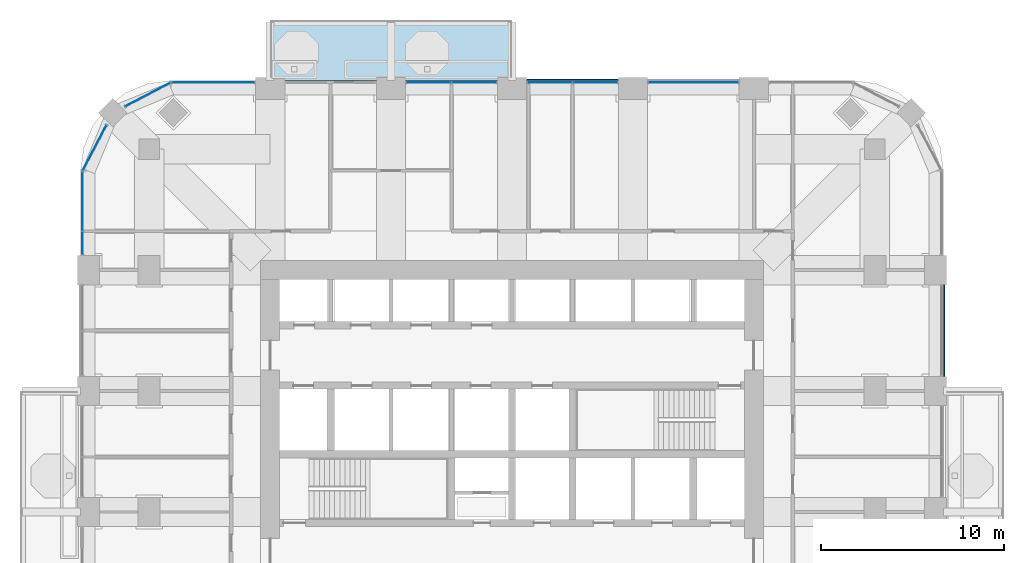
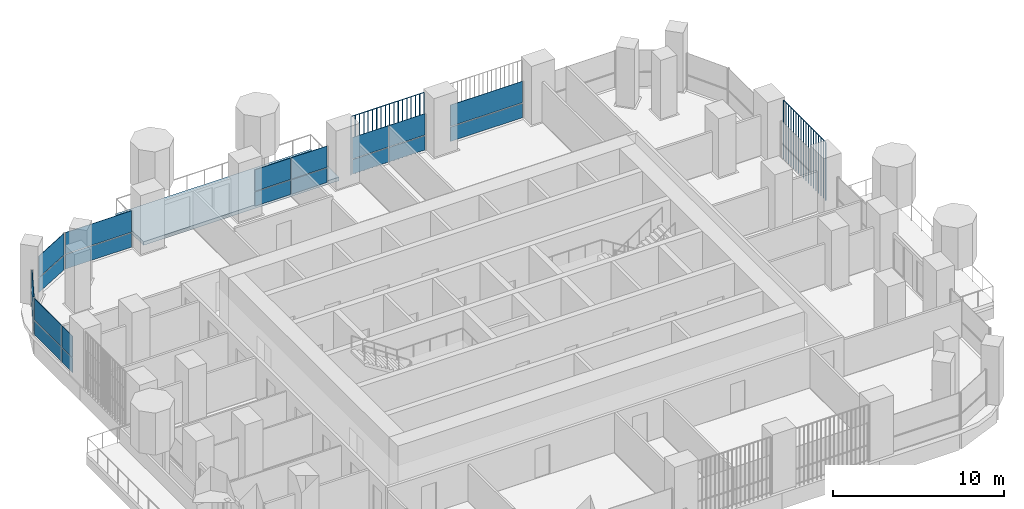
# One storey, part 10 of 20: 22 plates, 1 slab, 7 elements without a shape of their own.
"""IFC4 building model written with IfcOpenShell, lengths in metres."""

from ifc_helpers import new_model, si_unit, direction, frame, origin, origin_2d, place, context, subcontext, project, spatial, polyline, rectangle, outline, extrude, material, layer, layer_set, type_object, element, aggregate, save


model = new_model("IFC4")

# Units and contexts
model_context = context("Model", 3, precision=1e-05, world=origin(), true_north=direction((0.0, 1.0)))
body_context = subcontext(model_context, "Body", "Model", "MODEL_VIEW")
ifc_project = project(units=[si_unit("LENGTHUNIT", "METRE"), si_unit("AREAUNIT", "SQUARE_METRE"), si_unit("VOLUMEUNIT", "CUBIC_METRE"), si_unit("PLANEANGLEUNIT", "RADIAN"), si_unit("MASSUNIT", "GRAM", prefix="KILO")], contexts=[model_context])

# Site, building, storey
site_placement = place(None, origin())
site = spatial("IfcSite", under=ifc_project, at=site_placement, CompositionType="ELEMENT")
building_placement = place(site_placement, origin())
building = spatial("IfcBuilding", under=site, at=building_placement, Name="Cobogo Forest Laboratory Tower", CompositionType="ELEMENT")
storey_placement = place(building_placement, frame((0.0, 0.0, 210.300048828125)))
storey = spatial("IfcBuildingStorey", under=building, at=storey_placement, Name="L48", CompositionType="ELEMENT", Elevation=210.300048828125)

# Slab
ifc_material_1 = material(Name="Concrete HA-40 (C40/50)", Category="concrete")
ifc_layer_1 = layer(ifc_material_1, 0.25)
ifc_layer_set_1 = layer_set([ifc_layer_1], Name="Balcony slab 250")
slab_type = type_object("IfcSlabType", Name="Balcony slab 250", PredefinedType="FLOOR", material=ifc_layer_set_1)
slab_placement = place(storey_placement, frame((0.0, 0.0, -0.25)))
element("IfcSlab", 1, at=slab_placement, inside=storey, type_object=slab_type, Name="Balcony BAL-N1 L48", PredefinedType="FLOOR", context=body_context, shape_type="SweptSolid", body=[
    extrude(outline(polyline([(13.199951171875, 43.35009765625), (26.39990234375, 43.35009765625), (26.39990234375, 46.64990234375), (13.199951171875, 46.64990234375), (13.199951171875, 43.35009765625)])), origin(), (0.0, 0.0, 1.0), 0.25),
])

# Curtain wall, plates
ifc_material_2 = material(Name="Aluminium curtain wall", Category="aluminium")
curtain_wall_type = type_object("IfcCurtainWallType", Name="CW-2 unitised curtain wall, solar control glazing, laboratory floors zones C and D", PredefinedType="USERDEFINED", material=ifc_material_2)
curtain_wall_1_placement = place(storey_placement, origin())
curtain_wall_1 = element("IfcCurtainWall", 2, at=curtain_wall_1_placement, inside=storey, type_object=curtain_wall_type, Name="Curtain wall 17 L48", ObjectType="UNITISED CURTAIN WALL", PredefinedType="USERDEFINED")
ifc_material_3 = material(Name="Solar control insulated glass", Category="glass")
ifc_layer_2 = layer(ifc_material_3, 0.031982421875)
ifc_layer_set_2 = layer_set([ifc_layer_2], Name="GP-2 solar control glass unit 32")
plate_type_1 = type_object("IfcPlateType", Name="GP-2 solar control glass unit 32", PredefinedType="CURTAIN_PANEL", material=ifc_layer_set_2)
plate_1_placement = place(storey_placement, frame((36.300048828125, 43.25, 0.0), z_axis=(0.0, 0.0, 1.0), x_axis=(-1.0, 0.0, 0.0)))
plate_1 = element("IfcPlate", 3, at=plate_1_placement, type_object=plate_type_1, Name="CW-2 panel 1.1", PredefinedType="CURTAIN_PANEL", context=body_context, shape_type="SweptSolid", body=[
    extrude(rectangle(XDim=4.8798828125, YDim=0.031982421875, at=origin_2d()), origin(), (0.0, 0.0, 1.0), 1.02001953125),
])
plate_2_placement = place(storey_placement, frame((36.300048828125, 43.25, 1.079833984375), z_axis=(0.0, 0.0, 1.0), x_axis=(-1.0, 0.0, 0.0)))
plate_2 = element("IfcPlate", 4, at=plate_2_placement, type_object=plate_type_1, Name="CW-2 panel 1.2", PredefinedType="CURTAIN_PANEL", context=body_context, shape_type="SweptSolid", body=[
    extrude(rectangle(XDim=4.8798828125, YDim=0.031982421875, at=origin_2d()), origin(), (0.0, 0.0, 1.0), 1.52001953125),
])
aggregate(curtain_wall_1, [plate_1, plate_2])

curtain_wall_2_placement = place(storey_placement, origin())
curtain_wall_2 = element("IfcCurtainWall", 5, at=curtain_wall_2_placement, inside=storey, type_object=curtain_wall_type, Name="Curtain wall 18 L48", ObjectType="UNITISED CURTAIN WALL", PredefinedType="USERDEFINED")
plate_3_placement = place(storey_placement, frame((30.93505859375, 43.25, 0.0), z_axis=(0.0, 0.0, 1.0), x_axis=(-1.0, 0.0, 0.0)))
plate_3 = element("IfcPlate", 6, at=plate_3_placement, type_object=plate_type_1, Name="CW-2 panel 1.1", PredefinedType="CURTAIN_PANEL", context=body_context, shape_type="SweptSolid", body=[
    extrude(rectangle(XDim=2.409912109375, YDim=0.031982421875, at=origin_2d()), origin(), (0.0, 0.0, 1.0), 1.02001953125),
])
plate_4_placement = place(storey_placement, frame((30.93505859375, 43.25, 1.079833984375), z_axis=(0.0, 0.0, 1.0), x_axis=(-1.0, 0.0, 0.0)))
plate_4 = element("IfcPlate", 7, at=plate_4_placement, type_object=plate_type_1, Name="CW-2 panel 1.2", PredefinedType="CURTAIN_PANEL", context=body_context, shape_type="SweptSolid", body=[
    extrude(rectangle(XDim=2.409912109375, YDim=0.031982421875, at=origin_2d()), origin(), (0.0, 0.0, 1.0), 1.52001953125),
])
plate_5_placement = place(storey_placement, frame((28.465087890625, 43.25, 0.0), z_axis=(0.0, 0.0, 1.0), x_axis=(-1.0, 0.0, 0.0)))
plate_5 = element("IfcPlate", 8, at=plate_5_placement, type_object=plate_type_1, Name="CW-2 panel 2.1", PredefinedType="CURTAIN_PANEL", context=body_context, shape_type="SweptSolid", body=[
    extrude(rectangle(XDim=2.409912109375, YDim=0.031982421875, at=origin_2d()), origin(), (0.0, 0.0, 1.0), 1.02001953125),
])
plate_6_placement = place(storey_placement, frame((28.465087890625, 43.25, 1.079833984375), z_axis=(0.0, 0.0, 1.0), x_axis=(-1.0, 0.0, 0.0)))
plate_6 = element("IfcPlate", 9, at=plate_6_placement, type_object=plate_type_1, Name="CW-2 panel 2.2", PredefinedType="CURTAIN_PANEL", context=body_context, shape_type="SweptSolid", body=[
    extrude(rectangle(XDim=2.409912109375, YDim=0.031982421875, at=origin_2d()), origin(), (0.0, 0.0, 1.0), 1.52001953125),
])
aggregate(curtain_wall_2, [plate_3, plate_4, plate_5, plate_6])

curtain_wall_3_placement = place(storey_placement, origin())
curtain_wall_3 = element("IfcCurtainWall", 10, at=curtain_wall_3_placement, inside=storey, type_object=curtain_wall_type, Name="Curtain wall 19 L48", ObjectType="UNITISED CURTAIN WALL", PredefinedType="USERDEFINED")
plate_7_placement = place(storey_placement, frame((24.3349609375, 43.25, 0.0), z_axis=(0.0, 0.0, 1.0), x_axis=(-1.0, 0.0, 0.0)))
plate_7 = element("IfcPlate", 11, at=plate_7_placement, type_object=plate_type_1, Name="CW-2 panel 1.1", PredefinedType="CURTAIN_PANEL", context=body_context, shape_type="SweptSolid", body=[
    extrude(rectangle(XDim=2.409912109375, YDim=0.031982421875, at=origin_2d()), origin(), (0.0, 0.0, 1.0), 1.02001953125),
])
plate_8_placement = place(storey_placement, frame((24.3349609375, 43.25, 1.079833984375), z_axis=(0.0, 0.0, 1.0), x_axis=(-1.0, 0.0, 0.0)))
plate_8 = element("IfcPlate", 12, at=plate_8_placement, type_object=plate_type_1, Name="CW-2 panel 1.2", PredefinedType="CURTAIN_PANEL", context=body_context, shape_type="SweptSolid", body=[
    extrude(rectangle(XDim=2.409912109375, YDim=0.031982421875, at=origin_2d()), origin(), (0.0, 0.0, 1.0), 1.52001953125),
])
plate_9_placement = place(storey_placement, frame((21.864990234375, 43.25, 0.0), z_axis=(0.0, 0.0, 1.0), x_axis=(-1.0, 0.0, 0.0)))
plate_9 = element("IfcPlate", 13, at=plate_9_placement, type_object=plate_type_1, Name="CW-2 panel 2.1", PredefinedType="CURTAIN_PANEL", context=body_context, shape_type="SweptSolid", body=[
    extrude(rectangle(XDim=2.409912109375, YDim=0.031982421875, at=origin_2d()), origin(), (0.0, 0.0, 1.0), 1.02001953125),
])
plate_10_placement = place(storey_placement, frame((21.864990234375, 43.25, 1.079833984375), z_axis=(0.0, 0.0, 1.0), x_axis=(-1.0, 0.0, 0.0)))
plate_10 = element("IfcPlate", 14, at=plate_10_placement, type_object=plate_type_1, Name="CW-2 panel 2.2", PredefinedType="CURTAIN_PANEL", context=body_context, shape_type="SweptSolid", body=[
    extrude(rectangle(XDim=2.409912109375, YDim=0.031982421875, at=origin_2d()), origin(), (0.0, 0.0, 1.0), 1.52001953125),
])
aggregate(curtain_wall_3, [plate_7, plate_8, plate_9, plate_10])

curtain_wall_4_placement = place(storey_placement, origin())
curtain_wall_4 = element("IfcCurtainWall", 15, at=curtain_wall_4_placement, inside=storey, type_object=curtain_wall_type, Name="Curtain wall 21 L48", ObjectType="UNITISED CURTAIN WALL", PredefinedType="USERDEFINED")
plate_11_placement = place(storey_placement, frame((10.10009765625, 43.25, 0.0), z_axis=(0.0, 0.0, 1.0), x_axis=(-1.0, 0.0, 0.0)))
plate_11 = element("IfcPlate", 16, at=plate_11_placement, type_object=plate_type_1, Name="CW-2 panel 1.1", PredefinedType="CURTAIN_PANEL", context=body_context, shape_type="SweptSolid", body=[
    extrude(rectangle(XDim=4.47998046875, YDim=0.031982421875, at=origin_2d()), origin(), (0.0, 0.0, 1.0), 1.02001953125),
])
plate_12_placement = place(storey_placement, frame((10.10009765625, 43.25, 1.079833984375), z_axis=(0.0, 0.0, 1.0), x_axis=(-1.0, 0.0, 0.0)))
plate_12 = element("IfcPlate", 17, at=plate_12_placement, type_object=plate_type_1, Name="CW-2 panel 1.2", PredefinedType="CURTAIN_PANEL", context=body_context, shape_type="SweptSolid", body=[
    extrude(rectangle(XDim=4.47998046875, YDim=0.031982421875, at=origin_2d()), origin(), (0.0, 0.0, 1.0), 1.52001953125),
])
aggregate(curtain_wall_4, [plate_11, plate_12])

curtain_wall_5_placement = place(storey_placement, origin())
curtain_wall_5 = element("IfcCurtainWall", 18, at=curtain_wall_5_placement, inside=storey, type_object=curtain_wall_type, Name="Curtain wall 22 L48", ObjectType="UNITISED CURTAIN WALL", PredefinedType="USERDEFINED")
plate_13_placement = place(storey_placement, frame((6.5244140625, 42.581298828125, 0.0), z_axis=(0.0, 0.0, 1.0), x_axis=(-0.885686484356, -0.464283804832, 0.0)))
plate_13 = element("IfcPlate", 19, at=plate_13_placement, type_object=plate_type_1, Name="CW-2 panel 1.1", PredefinedType="CURTAIN_PANEL", context=body_context, shape_type="SweptSolid", body=[
    extrude(rectangle(XDim=2.76025390625, YDim=0.031982421875, at=origin_2d()), origin(), (0.0, 0.0, 1.0), 1.02001953125),
])
plate_14_placement = place(storey_placement, frame((6.5244140625, 42.581298828125, 1.079833984375), z_axis=(0.0, 0.0, 1.0), x_axis=(-0.885686484356, -0.464283804832, 0.0)))
plate_14 = element("IfcPlate", 20, at=plate_14_placement, type_object=plate_type_1, Name="CW-2 panel 1.2", PredefinedType="CURTAIN_PANEL", context=body_context, shape_type="SweptSolid", body=[
    extrude(rectangle(XDim=2.76025390625, YDim=0.031982421875, at=origin_2d()), origin(), (0.0, 0.0, 1.0), 1.52001953125),
])
aggregate(curtain_wall_5, [plate_13, plate_14])

curtain_wall_6_placement = place(storey_placement, origin())
curtain_wall_6 = element("IfcCurtainWall", 21, at=curtain_wall_6_placement, inside=storey, type_object=curtain_wall_type, Name="Curtain wall 23 L48", ObjectType="UNITISED CURTAIN WALL", PredefinedType="USERDEFINED")
plate_15_placement = place(storey_placement, frame((3.61865234375, 39.675537109375, 0.0), z_axis=(0.0, 0.0, 1.0), x_axis=(-0.464283804832, -0.885686484356, 0.0)))
plate_15 = element("IfcPlate", 22, at=plate_15_placement, type_object=plate_type_1, Name="CW-2 panel 1.1", PredefinedType="CURTAIN_PANEL", context=body_context, shape_type="SweptSolid", body=[
    extrude(rectangle(XDim=2.76025390625, YDim=0.031982421875, at=origin_2d()), origin(), (0.0, 0.0, 1.0), 1.02001953125),
])
plate_16_placement = place(storey_placement, frame((3.61865234375, 39.675537109375, 1.079833984375), z_axis=(0.0, 0.0, 1.0), x_axis=(-0.464283804832, -0.885686484356, 0.0)))
plate_16 = element("IfcPlate", 23, at=plate_16_placement, type_object=plate_type_1, Name="CW-2 panel 1.2", PredefinedType="CURTAIN_PANEL", context=body_context, shape_type="SweptSolid", body=[
    extrude(rectangle(XDim=2.76025390625, YDim=0.031982421875, at=origin_2d()), origin(), (0.0, 0.0, 1.0), 1.52001953125),
])
aggregate(curtain_wall_6, [plate_15, plate_16])

curtain_wall_7_placement = place(storey_placement, origin())
curtain_wall_7 = element("IfcCurtainWall", 24, at=curtain_wall_7_placement, inside=storey, type_object=curtain_wall_type, Name="Curtain wall 24 L48", ObjectType="UNITISED CURTAIN WALL", PredefinedType="USERDEFINED")
plate_17_placement = place(storey_placement, frame((2.949951171875, 36.74755859375, 0.0), z_axis=(0.0, 0.0, 1.0), x_axis=(0.0, -1.0, 0.0)))
plate_17 = element("IfcPlate", 25, at=plate_17_placement, type_object=plate_type_1, Name="CW-2 panel 1.1", PredefinedType="CURTAIN_PANEL", context=body_context, shape_type="SweptSolid", body=[
    extrude(rectangle(XDim=3.18505859375, YDim=0.031982421875, at=origin_2d()), origin(), (0.0, 0.0, 1.0), 1.02001953125),
])
plate_18_placement = place(storey_placement, frame((2.949951171875, 36.74755859375, 1.079833984375), z_axis=(0.0, 0.0, 1.0), x_axis=(0.0, -1.0, 0.0)))
plate_18 = element("IfcPlate", 26, at=plate_18_placement, type_object=plate_type_1, Name="CW-2 panel 1.2", PredefinedType="CURTAIN_PANEL", context=body_context, shape_type="SweptSolid", body=[
    extrude(rectangle(XDim=3.18505859375, YDim=0.031982421875, at=origin_2d()), origin(), (0.0, 0.0, 1.0), 1.52001953125),
])
plate_19_placement = place(storey_placement, frame((2.949951171875, 34.4775390625, 0.0), z_axis=(0.0, 0.0, 1.0), x_axis=(0.0, -1.0, 0.0)))
plate_19 = element("IfcPlate", 27, at=plate_19_placement, type_object=plate_type_1, Name="CW-2 panel 2.1", PredefinedType="CURTAIN_PANEL", context=body_context, shape_type="SweptSolid", body=[
    extrude(rectangle(XDim=1.235107421875, YDim=0.031982421875, at=origin_2d()), origin(), (0.0, 0.0, 1.0), 1.02001953125),
])
plate_20_placement = place(storey_placement, frame((2.949951171875, 34.4775390625, 1.079833984375), z_axis=(0.0, 0.0, 1.0), x_axis=(0.0, -1.0, 0.0)))
plate_20 = element("IfcPlate", 28, at=plate_20_placement, type_object=plate_type_1, Name="CW-2 panel 2.2", PredefinedType="CURTAIN_PANEL", context=body_context, shape_type="SweptSolid", body=[
    extrude(rectangle(XDim=1.235107421875, YDim=0.031982421875, at=origin_2d()), origin(), (0.0, 0.0, 1.0), 1.52001953125),
])
aggregate(curtain_wall_7, [plate_17, plate_18, plate_19, plate_20])

# Plates
ifc_material_4 = material(Name="Terracotta", Category="masonry")
plate_type_2 = type_object("IfcPlateType", Name="TB1 terracotta baguette screen", PredefinedType="USERDEFINED", material=ifc_material_4)
plate_21_placement = place(storey_placement, frame((49.977783203125, 27.231201171875, -0.150146484375)))
element("IfcPlate", 29, at=plate_21_placement, inside=storey, type_object=plate_type_2, Name="Baguette screen E3 L48", ObjectType="BAGUETTE SCREEN", PredefinedType="USERDEFINED", context=body_context, shape_type="SweptSolid", body=[
    extrude(outline(polyline([(0.02880859375, 0.011962890625), (0.011962890625, 0.02880859375), (-0.011962890625, 0.02880859375), (-0.02880859375, 0.011962890625), (-0.02880859375, -0.011962890625), (-0.011962890625, -0.02880859375), (0.011962890625, -0.02880859375), (0.02880859375, -0.011962890625), (0.02880859375, 0.011962890625)])), frame((0.0, 0.0, 4.168701171875), z_axis=(0.0, 1.0, 0.0), x_axis=(-1.0, 0.0, 0.0)), (0.0, 0.0, 1.0), 4.9375),
    extrude(outline(polyline([(0.02880859375, 0.011962890625), (0.011962890625, 0.02880859375), (-0.011962890625, 0.02880859375), (-0.02880859375, 0.011962890625), (-0.02880859375, -0.011962890625), (-0.011962890625, -0.02880859375), (0.011962890625, -0.02880859375), (0.02880859375, -0.011962890625), (0.02880859375, 0.011962890625)])), origin(), (0.0, 0.0, 1.0), 4.137451171875),
    extrude(outline(polyline([(0.02880859375, 0.011962890625), (0.011962890625, 0.02880859375), (-0.011962890625, 0.02880859375), (-0.02880859375, 0.011962890625), (-0.02880859375, -0.011962890625), (-0.011962890625, -0.02880859375), (0.011962890625, -0.02880859375), (0.02880859375, -0.011962890625), (0.02880859375, 0.011962890625)])), frame((0.0, 0.29052734375, 0.0)), (0.0, 0.0, 1.0), 4.137451171875),
    extrude(outline(polyline([(0.02880859375, 0.011962890625), (0.011962890625, 0.02880859375), (-0.011962890625, 0.02880859375), (-0.02880859375, 0.011962890625), (-0.02880859375, -0.011962890625), (-0.011962890625, -0.02880859375), (0.011962890625, -0.02880859375), (0.02880859375, -0.011962890625), (0.02880859375, 0.011962890625)])), frame((0.0, 0.580810546875, 0.0)), (0.0, 0.0, 1.0), 4.137451171875),
    extrude(outline(polyline([(0.02880859375, 0.011962890625), (0.011962890625, 0.02880859375), (-0.011962890625, 0.02880859375), (-0.02880859375, 0.011962890625), (-0.02880859375, -0.011962890625), (-0.011962890625, -0.02880859375), (0.011962890625, -0.02880859375), (0.02880859375, -0.011962890625), (0.02880859375, 0.011962890625)])), frame((0.0, 0.871337890625, 0.0)), (0.0, 0.0, 1.0), 4.137451171875),
    extrude(outline(polyline([(0.02880859375, 0.011962890625), (0.011962890625, 0.02880859375), (-0.011962890625, 0.02880859375), (-0.02880859375, 0.011962890625), (-0.02880859375, -0.011962890625), (-0.011962890625, -0.02880859375), (0.011962890625, -0.02880859375), (0.02880859375, -0.011962890625), (0.02880859375, 0.011962890625)])), frame((0.0, 1.161865234375, 0.0)), (0.0, 0.0, 1.0), 4.137451171875),
    extrude(outline(polyline([(0.02880859375, 0.011962890625), (0.011962890625, 0.02880859375), (-0.011962890625, 0.02880859375), (-0.02880859375, 0.011962890625), (-0.02880859375, -0.011962890625), (-0.011962890625, -0.02880859375), (0.011962890625, -0.02880859375), (0.02880859375, -0.011962890625), (0.02880859375, 0.011962890625)])), frame((0.0, 1.4521484375, 0.0)), (0.0, 0.0, 1.0), 4.137451171875),
    extrude(outline(polyline([(0.02880859375, 0.011962890625), (0.011962890625, 0.02880859375), (-0.011962890625, 0.02880859375), (-0.02880859375, 0.011962890625), (-0.02880859375, -0.011962890625), (-0.011962890625, -0.02880859375), (0.011962890625, -0.02880859375), (0.02880859375, -0.011962890625), (0.02880859375, 0.011962890625)])), frame((0.0, 1.74267578125, 0.0)), (0.0, 0.0, 1.0), 4.137451171875),
    extrude(outline(polyline([(0.02880859375, 0.011962890625), (0.011962890625, 0.02880859375), (-0.011962890625, 0.02880859375), (-0.02880859375, 0.011962890625), (-0.02880859375, -0.011962890625), (-0.011962890625, -0.02880859375), (0.011962890625, -0.02880859375), (0.02880859375, -0.011962890625), (0.02880859375, 0.011962890625)])), frame((0.0, 2.033203125, 0.0)), (0.0, 0.0, 1.0), 4.137451171875),
    extrude(outline(polyline([(0.02880859375, 0.011962890625), (0.011962890625, 0.02880859375), (-0.011962890625, 0.02880859375), (-0.02880859375, 0.011962890625), (-0.02880859375, -0.011962890625), (-0.011962890625, -0.02880859375), (0.011962890625, -0.02880859375), (0.02880859375, -0.011962890625), (0.02880859375, 0.011962890625)])), frame((0.0, 2.323486328125, 0.0)), (0.0, 0.0, 1.0), 4.137451171875),
    extrude(outline(polyline([(0.02880859375, 0.011962890625), (0.011962890625, 0.02880859375), (-0.011962890625, 0.02880859375), (-0.02880859375, 0.011962890625), (-0.02880859375, -0.011962890625), (-0.011962890625, -0.02880859375), (0.011962890625, -0.02880859375), (0.02880859375, -0.011962890625), (0.02880859375, 0.011962890625)])), frame((0.0, 2.614013671875, 0.0)), (0.0, 0.0, 1.0), 4.137451171875),
    extrude(outline(polyline([(0.02880859375, 0.011962890625), (0.011962890625, 0.02880859375), (-0.011962890625, 0.02880859375), (-0.02880859375, 0.011962890625), (-0.02880859375, -0.011962890625), (-0.011962890625, -0.02880859375), (0.011962890625, -0.02880859375), (0.02880859375, -0.011962890625), (0.02880859375, 0.011962890625)])), frame((0.0, 2.904296875, 0.0)), (0.0, 0.0, 1.0), 4.137451171875),
    extrude(outline(polyline([(0.02880859375, 0.011962890625), (0.011962890625, 0.02880859375), (-0.011962890625, 0.02880859375), (-0.02880859375, 0.011962890625), (-0.02880859375, -0.011962890625), (-0.011962890625, -0.02880859375), (0.011962890625, -0.02880859375), (0.02880859375, -0.011962890625), (0.02880859375, 0.011962890625)])), frame((0.0, 3.19482421875, 0.0)), (0.0, 0.0, 1.0), 4.137451171875),
    extrude(outline(polyline([(0.02880859375, 0.011962890625), (0.011962890625, 0.02880859375), (-0.011962890625, 0.02880859375), (-0.02880859375, 0.011962890625), (-0.02880859375, -0.011962890625), (-0.011962890625, -0.02880859375), (0.011962890625, -0.02880859375), (0.02880859375, -0.011962890625), (0.02880859375, 0.011962890625)])), frame((0.0, 3.4853515625, 0.0)), (0.0, 0.0, 1.0), 4.137451171875),
    extrude(outline(polyline([(0.02880859375, 0.011962890625), (0.011962890625, 0.02880859375), (-0.011962890625, 0.02880859375), (-0.02880859375, 0.011962890625), (-0.02880859375, -0.011962890625), (-0.011962890625, -0.02880859375), (0.011962890625, -0.02880859375), (0.02880859375, -0.011962890625), (0.02880859375, 0.011962890625)])), frame((0.0, 3.775634765625, 0.0)), (0.0, 0.0, 1.0), 4.137451171875),
    extrude(outline(polyline([(0.02880859375, 0.011962890625), (0.011962890625, 0.02880859375), (-0.011962890625, 0.02880859375), (-0.02880859375, 0.011962890625), (-0.02880859375, -0.011962890625), (-0.011962890625, -0.02880859375), (0.011962890625, -0.02880859375), (0.02880859375, -0.011962890625), (0.02880859375, 0.011962890625)])), frame((0.0, 4.066162109375, 0.0)), (0.0, 0.0, 1.0), 4.137451171875),
    extrude(outline(polyline([(0.02880859375, 0.011962890625), (0.011962890625, 0.02880859375), (-0.011962890625, 0.02880859375), (-0.02880859375, 0.011962890625), (-0.02880859375, -0.011962890625), (-0.011962890625, -0.02880859375), (0.011962890625, -0.02880859375), (0.02880859375, -0.011962890625), (0.02880859375, 0.011962890625)])), frame((0.0, 4.356689453125, 0.0)), (0.0, 0.0, 1.0), 4.137451171875),
    extrude(outline(polyline([(0.02880859375, 0.011962890625), (0.011962890625, 0.02880859375), (-0.011962890625, 0.02880859375), (-0.02880859375, 0.011962890625), (-0.02880859375, -0.011962890625), (-0.011962890625, -0.02880859375), (0.011962890625, -0.02880859375), (0.02880859375, -0.011962890625), (0.02880859375, 0.011962890625)])), frame((0.0, 4.64697265625, 0.0)), (0.0, 0.0, 1.0), 4.137451171875),
    extrude(outline(polyline([(0.02880859375, 0.011962890625), (0.011962890625, 0.02880859375), (-0.011962890625, 0.02880859375), (-0.02880859375, 0.011962890625), (-0.02880859375, -0.011962890625), (-0.011962890625, -0.02880859375), (0.011962890625, -0.02880859375), (0.02880859375, -0.011962890625), (0.02880859375, 0.011962890625)])), frame((0.0, 4.9375, 0.0)), (0.0, 0.0, 1.0), 4.137451171875),
])
plate_22_placement = place(storey_placement, frame((27.231201171875, 43.3779296875, -0.150146484375)))
element("IfcPlate", 30, at=plate_22_placement, inside=storey, type_object=plate_type_2, Name="Baguette screen N3 L48", ObjectType="BAGUETTE SCREEN", PredefinedType="USERDEFINED", context=body_context, shape_type="SweptSolid", body=[
    extrude(outline(polyline([(0.02880859375, 0.011962890625), (0.011962890625, 0.02880859375), (-0.011962890625, 0.02880859375), (-0.02880859375, 0.011962890625), (-0.02880859375, -0.011962890625), (-0.011962890625, -0.02880859375), (0.011962890625, -0.02880859375), (0.02880859375, -0.011962890625), (0.02880859375, 0.011962890625)])), frame((0.0, 0.0, 4.168701171875), z_axis=(1.0, 0.0, 0.0), x_axis=(0.0, 1.0, 0.0)), (0.0, 0.0, 1.0), 4.9375),
    extrude(outline(polyline([(0.02880859375, 0.011962890625), (0.011962890625, 0.02880859375), (-0.011962890625, 0.02880859375), (-0.02880859375, 0.011962890625), (-0.02880859375, -0.011962890625), (-0.011962890625, -0.02880859375), (0.011962890625, -0.02880859375), (0.02880859375, -0.011962890625), (0.02880859375, 0.011962890625)])), origin(), (0.0, 0.0, 1.0), 4.137451171875),
    extrude(outline(polyline([(0.02880859375, 0.011962890625), (0.011962890625, 0.02880859375), (-0.011962890625, 0.02880859375), (-0.02880859375, 0.011962890625), (-0.02880859375, -0.011962890625), (-0.011962890625, -0.02880859375), (0.011962890625, -0.02880859375), (0.02880859375, -0.011962890625), (0.02880859375, 0.011962890625)])), frame((0.29052734375, 0.0, 0.0)), (0.0, 0.0, 1.0), 4.137451171875),
    extrude(outline(polyline([(0.02880859375, 0.011962890625), (0.011962890625, 0.02880859375), (-0.011962890625, 0.02880859375), (-0.02880859375, 0.011962890625), (-0.02880859375, -0.011962890625), (-0.011962890625, -0.02880859375), (0.011962890625, -0.02880859375), (0.02880859375, -0.011962890625), (0.02880859375, 0.011962890625)])), frame((0.580810546875, 0.0, 0.0)), (0.0, 0.0, 1.0), 4.137451171875),
    extrude(outline(polyline([(0.02880859375, 0.011962890625), (0.011962890625, 0.02880859375), (-0.011962890625, 0.02880859375), (-0.02880859375, 0.011962890625), (-0.02880859375, -0.011962890625), (-0.011962890625, -0.02880859375), (0.011962890625, -0.02880859375), (0.02880859375, -0.011962890625), (0.02880859375, 0.011962890625)])), frame((0.871337890625, 0.0, 0.0)), (0.0, 0.0, 1.0), 4.137451171875),
    extrude(outline(polyline([(0.02880859375, 0.011962890625), (0.011962890625, 0.02880859375), (-0.011962890625, 0.02880859375), (-0.02880859375, 0.011962890625), (-0.02880859375, -0.011962890625), (-0.011962890625, -0.02880859375), (0.011962890625, -0.02880859375), (0.02880859375, -0.011962890625), (0.02880859375, 0.011962890625)])), frame((1.161865234375, 0.0, 0.0)), (0.0, 0.0, 1.0), 4.137451171875),
    extrude(outline(polyline([(0.02880859375, 0.011962890625), (0.011962890625, 0.02880859375), (-0.011962890625, 0.02880859375), (-0.02880859375, 0.011962890625), (-0.02880859375, -0.011962890625), (-0.011962890625, -0.02880859375), (0.011962890625, -0.02880859375), (0.02880859375, -0.011962890625), (0.02880859375, 0.011962890625)])), frame((1.4521484375, 0.0, 0.0)), (0.0, 0.0, 1.0), 4.137451171875),
    extrude(outline(polyline([(0.02880859375, 0.011962890625), (0.011962890625, 0.02880859375), (-0.011962890625, 0.02880859375), (-0.02880859375, 0.011962890625), (-0.02880859375, -0.011962890625), (-0.011962890625, -0.02880859375), (0.011962890625, -0.02880859375), (0.02880859375, -0.011962890625), (0.02880859375, 0.011962890625)])), frame((1.74267578125, 0.0, 0.0)), (0.0, 0.0, 1.0), 4.137451171875),
    extrude(outline(polyline([(0.02880859375, 0.011962890625), (0.011962890625, 0.02880859375), (-0.011962890625, 0.02880859375), (-0.02880859375, 0.011962890625), (-0.02880859375, -0.011962890625), (-0.011962890625, -0.02880859375), (0.011962890625, -0.02880859375), (0.02880859375, -0.011962890625), (0.02880859375, 0.011962890625)])), frame((2.033203125, 0.0, 0.0)), (0.0, 0.0, 1.0), 4.137451171875),
    extrude(outline(polyline([(0.02880859375, 0.011962890625), (0.011962890625, 0.02880859375), (-0.011962890625, 0.02880859375), (-0.02880859375, 0.011962890625), (-0.02880859375, -0.011962890625), (-0.011962890625, -0.02880859375), (0.011962890625, -0.02880859375), (0.02880859375, -0.011962890625), (0.02880859375, 0.011962890625)])), frame((2.323486328125, 0.0, 0.0)), (0.0, 0.0, 1.0), 4.137451171875),
    extrude(outline(polyline([(0.02880859375, 0.011962890625), (0.011962890625, 0.02880859375), (-0.011962890625, 0.02880859375), (-0.02880859375, 0.011962890625), (-0.02880859375, -0.011962890625), (-0.011962890625, -0.02880859375), (0.011962890625, -0.02880859375), (0.02880859375, -0.011962890625), (0.02880859375, 0.011962890625)])), frame((2.614013671875, 0.0, 0.0)), (0.0, 0.0, 1.0), 4.137451171875),
    extrude(outline(polyline([(0.02880859375, 0.011962890625), (0.011962890625, 0.02880859375), (-0.011962890625, 0.02880859375), (-0.02880859375, 0.011962890625), (-0.02880859375, -0.011962890625), (-0.011962890625, -0.02880859375), (0.011962890625, -0.02880859375), (0.02880859375, -0.011962890625), (0.02880859375, 0.011962890625)])), frame((2.904296875, 0.0, 0.0)), (0.0, 0.0, 1.0), 4.137451171875),
    extrude(outline(polyline([(0.02880859375, 0.011962890625), (0.011962890625, 0.02880859375), (-0.011962890625, 0.02880859375), (-0.02880859375, 0.011962890625), (-0.02880859375, -0.011962890625), (-0.011962890625, -0.02880859375), (0.011962890625, -0.02880859375), (0.02880859375, -0.011962890625), (0.02880859375, 0.011962890625)])), frame((3.19482421875, 0.0, 0.0)), (0.0, 0.0, 1.0), 4.137451171875),
    extrude(outline(polyline([(0.02880859375, 0.011962890625), (0.011962890625, 0.02880859375), (-0.011962890625, 0.02880859375), (-0.02880859375, 0.011962890625), (-0.02880859375, -0.011962890625), (-0.011962890625, -0.02880859375), (0.011962890625, -0.02880859375), (0.02880859375, -0.011962890625), (0.02880859375, 0.011962890625)])), frame((3.4853515625, 0.0, 0.0)), (0.0, 0.0, 1.0), 4.137451171875),
    extrude(outline(polyline([(0.02880859375, 0.011962890625), (0.011962890625, 0.02880859375), (-0.011962890625, 0.02880859375), (-0.02880859375, 0.011962890625), (-0.02880859375, -0.011962890625), (-0.011962890625, -0.02880859375), (0.011962890625, -0.02880859375), (0.02880859375, -0.011962890625), (0.02880859375, 0.011962890625)])), frame((3.775634765625, 0.0, 0.0)), (0.0, 0.0, 1.0), 4.137451171875),
    extrude(outline(polyline([(0.02880859375, 0.011962890625), (0.011962890625, 0.02880859375), (-0.011962890625, 0.02880859375), (-0.02880859375, 0.011962890625), (-0.02880859375, -0.011962890625), (-0.011962890625, -0.02880859375), (0.011962890625, -0.02880859375), (0.02880859375, -0.011962890625), (0.02880859375, 0.011962890625)])), frame((4.066162109375, 0.0, 0.0)), (0.0, 0.0, 1.0), 4.137451171875),
    extrude(outline(polyline([(0.02880859375, 0.011962890625), (0.011962890625, 0.02880859375), (-0.011962890625, 0.02880859375), (-0.02880859375, 0.011962890625), (-0.02880859375, -0.011962890625), (-0.011962890625, -0.02880859375), (0.011962890625, -0.02880859375), (0.02880859375, -0.011962890625), (0.02880859375, 0.011962890625)])), frame((4.356689453125, 0.0, 0.0)), (0.0, 0.0, 1.0), 4.137451171875),
    extrude(outline(polyline([(0.02880859375, 0.011962890625), (0.011962890625, 0.02880859375), (-0.011962890625, 0.02880859375), (-0.02880859375, 0.011962890625), (-0.02880859375, -0.011962890625), (-0.011962890625, -0.02880859375), (0.011962890625, -0.02880859375), (0.02880859375, -0.011962890625), (0.02880859375, 0.011962890625)])), frame((4.64697265625, 0.0, 0.0)), (0.0, 0.0, 1.0), 4.137451171875),
    extrude(outline(polyline([(0.02880859375, 0.011962890625), (0.011962890625, 0.02880859375), (-0.011962890625, 0.02880859375), (-0.02880859375, 0.011962890625), (-0.02880859375, -0.011962890625), (-0.011962890625, -0.02880859375), (0.011962890625, -0.02880859375), (0.02880859375, -0.011962890625), (0.02880859375, 0.011962890625)])), frame((4.9375, 0.0, 0.0)), (0.0, 0.0, 1.0), 4.137451171875),
])

save(model, "model.ifc")
